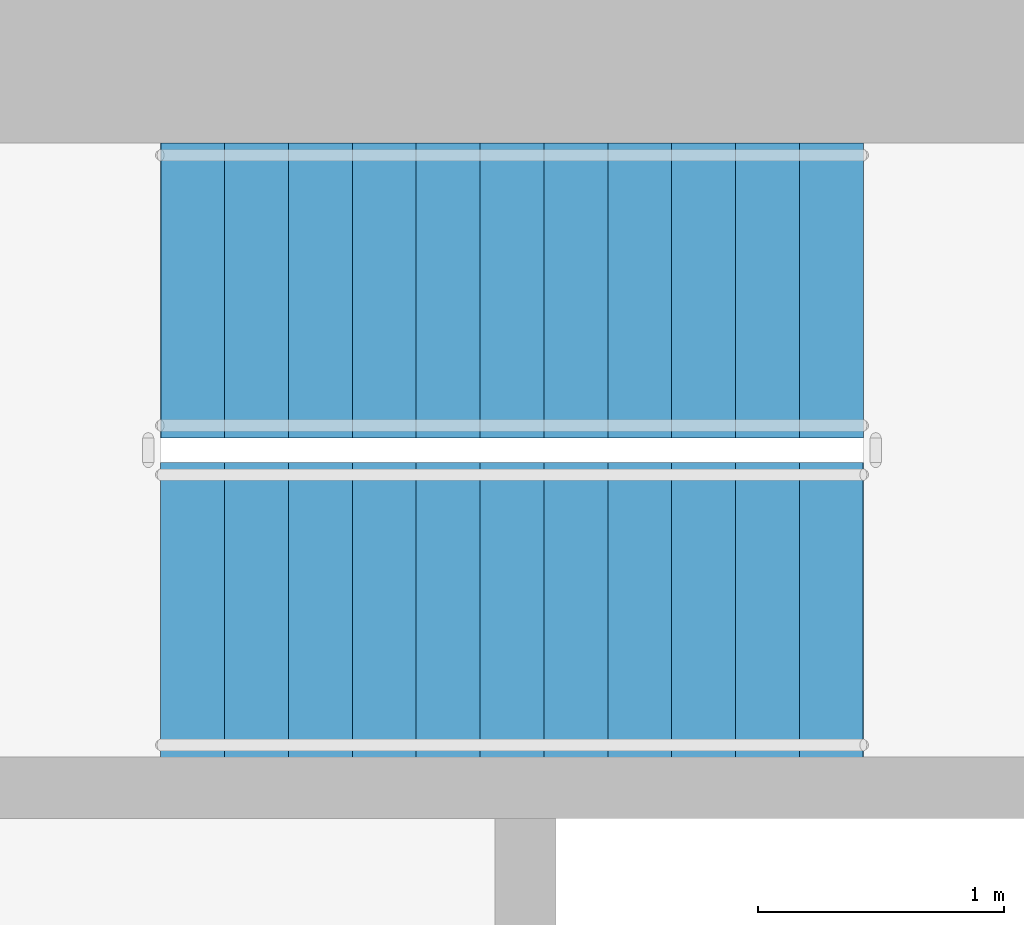
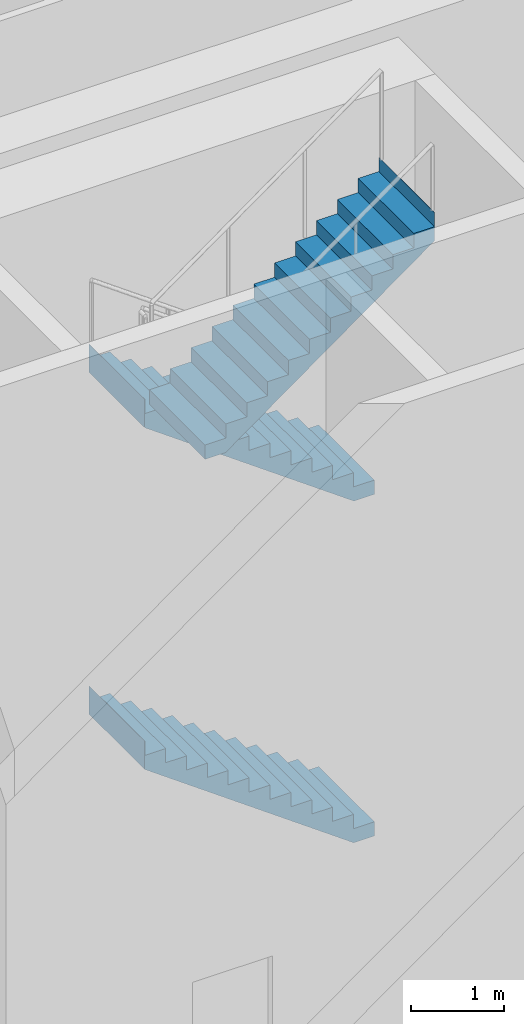
# One storey, part 22 of 35: 3 stair flights, 1 element without a shape of its own.
"""IFC4 building model written with IfcOpenShell, lengths in metres."""

import ifcopenshell
import ifcopenshell.guid

model = None  # the IFC model being written
_history = None  # IfcOwnerHistory: only IFC2X3 demands one
_inside = {}  # id of a spatial element -> (the spatial element, [elements in it])
_under = {}  # id of a project, library or spatial element -> (it, [spatial elements below it])
_declared = {}  # id of a project -> (the project, [libraries it declares])
_typed = {}  # id of a type object -> (the type object, [elements of that type])
_made_of = {}  # id of a material, layer set ... -> (it, [elements and type objects made of it])


def new_model(schema):
    """Start an empty IFC model of exactly this schema.

    Asked for "IFC4X3", IfcOpenShell would pick the latest addendum, in which some entities
    have other attributes; the version numbers below select the first issue.
    IFC2X3 requires an IfcOwnerHistory on every rooted entity: one is made here for all.
    """
    global model, _history
    if schema == "IFC4X3":
        model = ifcopenshell.file(schema_version=(4, 3, 0, 0))
    else:
        model = ifcopenshell.file(schema=schema)
    _inside.clear()
    _under.clear()
    _declared.clear()
    _typed.clear()
    _made_of.clear()
    _history = None
    if model.schema == "IFC2X3":
        org = make("IfcOrganization", Name="unknown")
        user = make(
            "IfcPersonAndOrganization",
            ThePerson=make("IfcPerson", FamilyName="unknown"),
            TheOrganization=org,
        )
        app = make(
            "IfcApplication",
            ApplicationDeveloper=org,
            Version="unknown",
            ApplicationFullName="unknown",
            ApplicationIdentifier="unknown",
        )
        _history = make(
            "IfcOwnerHistory",
            OwningUser=user,
            OwningApplication=app,
            ChangeAction="ADDED",
            CreationDate=0,
        )
    return model


def make(cls, **values):
    """One entity of the class cls with the attributes given. An attribute that is None is left unset."""
    return model.create_entity(
        cls, **{name: value for name, value in values.items() if value is not None}
    )


def rooted(cls, **values):
    """An entity with a GlobalId (a new one), such as an element, a storey or a relation."""
    return make(cls, GlobalId=ifcopenshell.guid.new(), OwnerHistory=_history, **values)


def si_unit(unit_type, name, prefix=None):
    """IfcSIUnit, for example si_unit("LENGTHUNIT", "METRE", prefix="MILLI")."""
    return make("IfcSIUnit", UnitType=unit_type, Prefix=prefix, Name=name)


def assignment(units):
    """IfcUnitAssignment: the units of a project."""
    return None if units is None else make("IfcUnitAssignment", Units=units)


def point(xyz):
    """IfcCartesianPoint."""
    return None if xyz is None else make("IfcCartesianPoint", Coordinates=xyz)


def direction(xyz):
    """IfcDirection."""
    return None if xyz is None else make("IfcDirection", DirectionRatios=xyz)


def frame(location, z_axis=None, x_axis=None):
    """IfcAxis2Placement3D, a coordinate frame: its origin and axes. An axis left out is left unset."""
    return make(
        "IfcAxis2Placement3D",
        Location=point(location),
        Axis=direction(z_axis),
        RefDirection=direction(x_axis),
    )


def origin():
    """The frame at (0, 0, 0) with its axes left unset."""
    return frame((0.0, 0.0, 0.0))


def place(relative_to, where):
    """IfcLocalPlacement: puts the frame where relative to a parent placement (None: the world)."""
    return make(
        "IfcLocalPlacement", PlacementRelTo=relative_to, RelativePlacement=where
    )


def context(
    kind, dimensions, precision=None, world=None, true_north=None, identifier=None
):
    """IfcGeometricRepresentationContext, for example the 3D "Model" context."""
    return make(
        "IfcGeometricRepresentationContext",
        ContextIdentifier=identifier,
        ContextType=kind,
        CoordinateSpaceDimension=dimensions,
        Precision=precision,
        WorldCoordinateSystem=world,
        TrueNorth=true_north,
    )


def subcontext(parent, identifier, kind, view, scale=None):
    """IfcGeometricRepresentationSubContext, for example "Body" below "Model"."""
    return make(
        "IfcGeometricRepresentationSubContext",
        ContextIdentifier=identifier,
        ContextType=kind,
        ParentContext=parent,
        TargetScale=scale,
        TargetView=view,
    )


def project(units=None, contexts=None):
    """IfcProject with its units and contexts."""
    return rooted(
        "IfcProject",
        Name="project",
        RepresentationContexts=contexts,
        UnitsInContext=assignment(units),
    )


def spatial(cls, under=None, at=None, **own):
    """A site, building, storey or space (cls), placed at a placement, below another one or the project."""
    s = rooted(cls, ObjectPlacement=at, **own)
    if under is not None:
        _under.setdefault(under.id(), (under, []))[1].append(s)
    return s


def point_list(points):
    """IfcCartesianPointList2D or 3D."""
    cls = (
        "IfcCartesianPointList2D" if len(points[0]) == 2 else "IfcCartesianPointList3D"
    )
    return make(cls, CoordList=points)


def triangles(points, corners, closed=None, point_numbers=None):
    """IfcTriangulatedFaceSet: each triangle names its three corners, points numbered from 1."""
    return make(
        "IfcTriangulatedFaceSet",
        Coordinates=point_list(points),
        Closed=closed,
        CoordIndex=corners,
        PnIndex=point_numbers,
    )


def shape(context_of_items, identifier, shape_type, items):
    """IfcShapeRepresentation: the items that make up one representation, for example the "Body"."""
    return make(
        "IfcShapeRepresentation",
        ContextOfItems=context_of_items,
        RepresentationIdentifier=identifier,
        RepresentationType=shape_type,
        Items=items,
    )


def material(Name=None, Category=None):
    """IfcMaterial."""
    return make("IfcMaterial", Name=Name, Category=Category)


def made_of(thing, what):
    """Note that an element or type object is made of a material, layer set ...; save() writes the relation."""
    if what is not None:
        _made_of.setdefault(what.id(), (what, []))[1].append(thing)
    return thing


def type_object(cls, material=None, **own):
    """A type object (cls), such as IfcWallType, which elements share."""
    return made_of(rooted(cls, **own), material)


def element(
    cls,
    number,
    at=None,
    inside=None,
    cuts=None,
    type_object=None,
    material=None,
    context=None,
    identifier="Body",
    shape_type=None,
    held_by="IfcProductDefinitionShape",
    body=None,
    shapes=None,
    **own,
):
    """One element of the class cls, such as IfcWall. Its Tag is "e" and its number.

    at: its placement. inside: the storey or other place that contains it. cuts: it is an
    opening in that element (IfcRelVoidsElement). A single representation is given by context,
    identifier, shape_type and body (its items); several are given by shapes. held_by: the class
    of the entity that holds the representations. save() writes the other relations.
    """
    e = rooted(cls, Tag="e%d" % number, ObjectPlacement=at, **own)
    if body is not None:
        shapes = [shape(context, identifier, shape_type, body)]
    if shapes is not None:
        e.Representation = make(held_by, Representations=shapes)
    if inside is not None:
        _inside.setdefault(inside.id(), (inside, []))[1].append(e)
    if cuts is not None:
        rooted(
            "IfcRelVoidsElement", RelatingBuildingElement=cuts, RelatedOpeningElement=e
        )
    if type_object is not None:
        _typed.setdefault(type_object.id(), (type_object, []))[1].append(e)
    return made_of(e, material)


def aggregate(whole, parts):
    """IfcRelAggregates: a whole, such as a stair, and the parts it consists of."""
    return rooted("IfcRelAggregates", RelatingObject=whole, RelatedObjects=parts)


def save(model, path):
    """Write the relations noted so far, then the file.

    IfcRelAggregates (storeys below a building ...), IfcRelContainedInSpatialStructure (elements
    in a storey), IfcRelDefinesByType, IfcRelAssociatesMaterial and IfcRelDeclares: one each for
    every whole, place, type object, material and project.
    """
    for whole, parts in _under.values():
        aggregate(whole, parts)
    for where, things in _inside.values():
        rooted(
            "IfcRelContainedInSpatialStructure",
            RelatedElements=things,
            RelatingStructure=where,
        )
    for kind, things in _typed.values():
        rooted("IfcRelDefinesByType", RelatedObjects=things, RelatingType=kind)
    for what, things in _made_of.values():
        rooted("IfcRelAssociatesMaterial", RelatedObjects=things, RelatingMaterial=what)
    for by, libraries in _declared.values():
        rooted("IfcRelDeclares", RelatingContext=by, RelatedDefinitions=libraries)
    model.write(path)


model = new_model("IFC4")

# Units and contexts
model_context = context("Model", 3, precision=1e-05, world=origin(), true_north=direction((0.0, 1.0)))
body_context = subcontext(model_context, "Body", "Model", "MODEL_VIEW")
ifc_project = project(units=[si_unit("LENGTHUNIT", "METRE"), si_unit("AREAUNIT", "SQUARE_METRE"), si_unit("VOLUMEUNIT", "CUBIC_METRE"), si_unit("PLANEANGLEUNIT", "RADIAN"), si_unit("MASSUNIT", "GRAM", prefix="KILO")], contexts=[model_context])

# Site, building, storey
site_placement = place(None, origin())
site = spatial("IfcSite", under=ifc_project, at=site_placement, CompositionType="ELEMENT")
building_placement = place(site_placement, origin())
building = spatial("IfcBuilding", under=site, at=building_placement, Name="Sahrelin Media Tower", CompositionType="ELEMENT")
storey_placement = place(building_placement, frame((0.0, 0.0, 17.0)))
storey = spatial("IfcBuildingStorey", under=building, at=storey_placement, Name="L02", CompositionType="ELEMENT", Elevation=17.0)

# Stair, stair flights
ifc_material = material(Name="Concrete C40/50", Category="concrete")
stair_type = type_object("IfcStairType", Name="Exit stair 1200", PredefinedType="HALF_TURN_STAIR", material=ifc_material)
stair_placement = place(storey_placement, origin())
stair = element("IfcStair", 1, at=stair_placement, inside=storey, type_object=stair_type, Name="L02 Exit stair ST3", PredefinedType="HALF_TURN_STAIR")
stair_flight_type = type_object("IfcStairFlightType", Name="Stair flight 1200", PredefinedType="STRAIGHT", material=ifc_material)
stair_flight_1_placement = place(storey_placement, frame((7.675048828125, 6.0, 0.0), z_axis=(0.0, 0.0, 1.0), x_axis=(-1.0, 0.0, 0.0)))
stair_flight_1 = element("IfcStairFlight", 2, at=stair_flight_1_placement, type_object=stair_flight_type, Name="ST3 flight 1", NumberOfRisers=12, NumberOfTreads=11, PredefinedType="STRAIGHT", RiserHeight=0.1875, TreadLength=0.26, context=body_context, shape_type="Tessellation", body=[
    triangles([(0.25634765625, 0.60009765625, 0.0), (0.25634765625, 0.300048828125, 0.0), (0.25634765625, 0.0, 0.0), (0.25634765625, -0.300048828125, 0.0), (0.25634765625, -0.60009765625, 0.0), (2.860107421875, 0.60009765625, 1.877685546875), (2.860107421875, 0.300048828125, 1.877685546875), (2.860107421875, 0.0, 1.877685546875), (2.860107421875, -0.300048828125, 1.877685546875), (2.860107421875, -0.60009765625, 1.877685546875), (2.860107421875, 0.60009765625, 2.25), (2.860107421875, 0.300048828125, 2.25), (2.860107421875, 0.0, 2.25), (2.860107421875, -0.300048828125, 2.25), (2.860107421875, -0.60009765625, 2.25), (2.85791015625, 0.60009765625, 2.25), (2.85791015625, 0.300048828125, 2.25), (2.85791015625, 0.0, 2.25), (2.85791015625, -0.300048828125, 2.25), (2.85791015625, -0.60009765625, 2.25), (2.85791015625, 0.60009765625, 2.0625), (2.85791015625, 0.300048828125, 2.0625), (2.85791015625, 0.0, 2.0625), (2.85791015625, -0.300048828125, 2.0625), (2.85791015625, -0.60009765625, 2.0625), (2.60009765625, 0.60009765625, 2.0625), (2.60009765625, 0.300048828125, 2.0625), (2.60009765625, 0.0, 2.0625), (2.60009765625, -0.300048828125, 2.0625), (2.60009765625, -0.60009765625, 2.0625), (2.60009765625, 0.60009765625, 1.875), (2.60009765625, 0.300048828125, 1.875), (2.60009765625, 0.0, 1.875), (2.60009765625, -0.300048828125, 1.875), (2.60009765625, -0.60009765625, 1.875), (2.340087890625, 0.60009765625, 1.875), (2.340087890625, 0.300048828125, 1.875), (2.340087890625, 0.0, 1.875), (2.340087890625, -0.300048828125, 1.875), (2.340087890625, -0.60009765625, 1.875), (2.340087890625, 0.60009765625, 1.6875), (2.340087890625, 0.300048828125, 1.6875), (2.340087890625, 0.0, 1.6875), (2.340087890625, -0.300048828125, 1.6875), (2.340087890625, -0.60009765625, 1.6875), (2.080078125, 0.60009765625, 1.6875), (2.080078125, 0.300048828125, 1.6875), (2.080078125, 0.0, 1.6875), (2.080078125, -0.300048828125, 1.6875), (2.080078125, -0.60009765625, 1.6875), (2.080078125, 0.60009765625, 1.5), (2.080078125, 0.300048828125, 1.5), (2.080078125, 0.0, 1.5), (2.080078125, -0.300048828125, 1.5), (2.080078125, -0.60009765625, 1.5), (1.820068359375, 0.60009765625, 1.5), (1.820068359375, 0.300048828125, 1.5), (1.820068359375, 0.0, 1.5), (1.820068359375, -0.300048828125, 1.5), (1.820068359375, -0.60009765625, 1.5), (1.820068359375, 0.60009765625, 1.3125), (1.820068359375, 0.300048828125, 1.3125), (1.820068359375, 0.0, 1.3125), (1.820068359375, -0.300048828125, 1.3125), (1.820068359375, -0.60009765625, 1.3125), (1.56005859375, 0.60009765625, 1.3125), (1.56005859375, 0.300048828125, 1.3125), (1.56005859375, 0.0, 1.3125), (1.56005859375, -0.300048828125, 1.3125), (1.56005859375, -0.60009765625, 1.3125), (1.56005859375, 0.60009765625, 1.125), (1.56005859375, 0.300048828125, 1.125), (1.56005859375, 0.0, 1.125), (1.56005859375, -0.300048828125, 1.125), (1.56005859375, -0.60009765625, 1.125), (1.300048828125, 0.60009765625, 1.125), (1.300048828125, 0.300048828125, 1.125), (1.300048828125, 0.0, 1.125), (1.300048828125, -0.300048828125, 1.125), (1.300048828125, -0.60009765625, 1.125), (1.300048828125, 0.60009765625, 0.9375), (1.300048828125, 0.300048828125, 0.9375), (1.300048828125, 0.0, 0.9375), (1.300048828125, -0.300048828125, 0.9375), (1.300048828125, -0.60009765625, 0.9375), (1.0400390625, 0.60009765625, 0.9375), (1.0400390625, 0.300048828125, 0.9375), (1.0400390625, 0.0, 0.9375), (1.0400390625, -0.300048828125, 0.9375), (1.0400390625, -0.60009765625, 0.9375), (1.0400390625, 0.60009765625, 0.75), (1.0400390625, 0.300048828125, 0.75), (1.0400390625, 0.0, 0.75), (1.0400390625, -0.300048828125, 0.75), (1.0400390625, -0.60009765625, 0.75), (0.780029296875, 0.60009765625, 0.75), (0.780029296875, 0.300048828125, 0.75), (0.780029296875, 0.0, 0.75), (0.780029296875, -0.300048828125, 0.75), (0.780029296875, -0.60009765625, 0.75), (0.780029296875, 0.60009765625, 0.5625), (0.780029296875, 0.300048828125, 0.5625), (0.780029296875, 0.0, 0.5625), (0.780029296875, -0.300048828125, 0.5625), (0.780029296875, -0.60009765625, 0.5625), (0.52001953125, 0.60009765625, 0.5625), (0.52001953125, 0.300048828125, 0.5625), (0.52001953125, 0.0, 0.5625), (0.52001953125, -0.300048828125, 0.5625), (0.52001953125, -0.60009765625, 0.5625), (0.52001953125, 0.60009765625, 0.375), (0.52001953125, 0.300048828125, 0.375), (0.52001953125, 0.0, 0.375), (0.52001953125, -0.300048828125, 0.375), (0.52001953125, -0.60009765625, 0.375), (0.260009765625, 0.60009765625, 0.375), (0.260009765625, 0.300048828125, 0.375), (0.260009765625, 0.0, 0.375), (0.260009765625, -0.300048828125, 0.375), (0.260009765625, -0.60009765625, 0.375), (0.260009765625, 0.60009765625, 0.1875), (0.260009765625, 0.300048828125, 0.1875), (0.260009765625, 0.0, 0.1875), (0.260009765625, -0.300048828125, 0.1875), (0.260009765625, -0.60009765625, 0.1875), (0.0, 0.60009765625, 0.1875), (0.0, 0.300048828125, 0.1875), (0.0, 0.0, 0.1875), (0.0, -0.300048828125, 0.1875), (0.0, -0.60009765625, 0.1875), (0.0, 0.60009765625, 0.0), (0.0, 0.300048828125, 0.0), (0.0, 0.0, 0.0), (0.0, -0.300048828125, 0.0), (0.0, -0.60009765625, 0.0)], [[1, 6, 7], [1, 7, 2], [2, 7, 8], [2, 8, 3], [3, 8, 9], [3, 9, 4], [4, 9, 10], [4, 10, 5], [6, 11, 12], [6, 12, 7], [7, 12, 13], [7, 13, 8], [8, 13, 14], [8, 14, 9], [9, 14, 15], [9, 15, 10], [11, 16, 17], [11, 17, 12], [12, 17, 18], [12, 18, 13], [13, 18, 19], [13, 19, 14], [14, 19, 20], [14, 20, 15], [16, 21, 22], [16, 22, 17], [17, 22, 23], [17, 23, 18], [18, 23, 24], [18, 24, 19], [19, 24, 25], [19, 25, 20], [21, 26, 27], [21, 27, 22], [22, 27, 28], [22, 28, 23], [23, 28, 29], [23, 29, 24], [24, 29, 30], [24, 30, 25], [26, 31, 32], [26, 32, 27], [27, 32, 33], [27, 33, 28], [28, 33, 34], [28, 34, 29], [29, 34, 35], [29, 35, 30], [31, 36, 37], [31, 37, 32], [32, 37, 38], [32, 38, 33], [33, 38, 39], [33, 39, 34], [34, 39, 40], [34, 40, 35], [36, 41, 42], [36, 42, 37], [37, 42, 43], [37, 43, 38], [38, 43, 44], [38, 44, 39], [39, 44, 45], [39, 45, 40], [41, 46, 47], [41, 47, 42], [42, 47, 48], [42, 48, 43], [43, 48, 49], [43, 49, 44], [44, 49, 50], [44, 50, 45], [46, 51, 52], [46, 52, 47], [47, 52, 53], [47, 53, 48], [48, 53, 54], [48, 54, 49], [49, 54, 55], [49, 55, 50], [51, 56, 57], [51, 57, 52], [52, 57, 58], [52, 58, 53], [53, 58, 59], [53, 59, 54], [54, 59, 60], [54, 60, 55], [56, 61, 62], [56, 62, 57], [57, 62, 63], [57, 63, 58], [58, 63, 64], [58, 64, 59], [59, 64, 65], [59, 65, 60], [61, 66, 67], [61, 67, 62], [62, 67, 68], [62, 68, 63], [63, 68, 69], [63, 69, 64], [64, 69, 70], [64, 70, 65], [66, 71, 72], [66, 72, 67], [67, 72, 73], [67, 73, 68], [68, 73, 74], [68, 74, 69], [69, 74, 75], [69, 75, 70], [71, 76, 77], [71, 77, 72], [72, 77, 78], [72, 78, 73], [73, 78, 79], [73, 79, 74], [74, 79, 80], [74, 80, 75], [76, 81, 82], [76, 82, 77], [77, 82, 83], [77, 83, 78], [78, 83, 84], [78, 84, 79], [79, 84, 85], [79, 85, 80], [81, 86, 87], [81, 87, 82], [82, 87, 88], [82, 88, 83], [83, 88, 89], [83, 89, 84], [84, 89, 90], [84, 90, 85], [86, 91, 92], [86, 92, 87], [87, 92, 93], [87, 93, 88], [88, 93, 94], [88, 94, 89], [89, 94, 95], [89, 95, 90], [91, 96, 97], [91, 97, 92], [92, 97, 98], [92, 98, 93], [93, 98, 99], [93, 99, 94], [94, 99, 100], [94, 100, 95], [96, 101, 102], [96, 102, 97], [97, 102, 103], [97, 103, 98], [98, 103, 104], [98, 104, 99], [99, 104, 105], [99, 105, 100], [101, 106, 107], [101, 107, 102], [102, 107, 108], [102, 108, 103], [103, 108, 109], [103, 109, 104], [104, 109, 110], [104, 110, 105], [106, 111, 112], [106, 112, 107], [107, 112, 113], [107, 113, 108], [108, 113, 114], [108, 114, 109], [109, 114, 115], [109, 115, 110], [111, 116, 117], [111, 117, 112], [112, 117, 118], [112, 118, 113], [113, 118, 119], [113, 119, 114], [114, 119, 120], [114, 120, 115], [116, 121, 122], [116, 122, 117], [117, 122, 123], [117, 123, 118], [118, 123, 124], [118, 124, 119], [119, 124, 125], [119, 125, 120], [121, 126, 127], [121, 127, 122], [122, 127, 128], [122, 128, 123], [123, 128, 129], [123, 129, 124], [124, 129, 130], [124, 130, 125], [126, 131, 132], [126, 132, 127], [127, 132, 133], [127, 133, 128], [128, 133, 134], [128, 134, 129], [129, 134, 135], [129, 135, 130], [131, 1, 2], [131, 2, 132], [132, 2, 3], [132, 3, 133], [133, 3, 4], [133, 4, 134], [134, 4, 5], [134, 5, 135], [5, 130, 135], [1, 131, 126], [125, 115, 120], [121, 116, 111], [115, 105, 110], [111, 106, 101], [105, 95, 100], [101, 96, 91], [95, 85, 90], [91, 86, 81], [85, 75, 80], [81, 76, 71], [75, 65, 70], [71, 66, 61], [65, 55, 60], [61, 56, 51], [55, 45, 50], [51, 46, 41], [45, 35, 40], [41, 36, 31], [35, 25, 30], [31, 26, 21], [25, 15, 20], [21, 16, 11], [5, 125, 130], [1, 126, 121], [10, 35, 45], [6, 41, 31], [25, 10, 15], [21, 11, 6], [115, 125, 5], [111, 1, 121], [35, 10, 25], [31, 21, 6], [105, 115, 5], [101, 1, 111], [45, 55, 10], [41, 6, 51], [95, 105, 5], [91, 1, 101], [65, 10, 55], [61, 51, 6], [85, 95, 5], [81, 1, 91], [75, 10, 65], [71, 61, 6], [75, 85, 5], [71, 1, 81], [5, 10, 75], [1, 71, 6]], closed=True),
])
stair_flight_2_placement = place(storey_placement, frame((7.675048828125, 6.0, 4.5), z_axis=(0.0, 0.0, 1.0), x_axis=(-1.0, 0.0, 0.0)))
stair_flight_2 = element("IfcStairFlight", 3, at=stair_flight_2_placement, type_object=stair_flight_type, Name="ST3 flight 3", NumberOfRisers=12, NumberOfTreads=11, PredefinedType="STRAIGHT", RiserHeight=0.1875, TreadLength=0.26, context=body_context, shape_type="Tessellation", body=[
    triangles([(0.25634765625, 0.60009765625, 0.0), (0.25634765625, 0.300048828125, 0.0), (0.25634765625, 0.0, 0.0), (0.25634765625, -0.300048828125, 0.0), (0.25634765625, -0.60009765625, 0.0), (2.860107421875, 0.60009765625, 1.877685546875), (2.860107421875, 0.300048828125, 1.877685546875), (2.860107421875, 0.0, 1.877685546875), (2.860107421875, -0.300048828125, 1.877685546875), (2.860107421875, -0.60009765625, 1.877685546875), (2.860107421875, 0.60009765625, 2.25), (2.860107421875, 0.300048828125, 2.25), (2.860107421875, 0.0, 2.25), (2.860107421875, -0.300048828125, 2.25), (2.860107421875, -0.60009765625, 2.25), (2.85791015625, 0.60009765625, 2.25), (2.85791015625, 0.300048828125, 2.25), (2.85791015625, 0.0, 2.25), (2.85791015625, -0.300048828125, 2.25), (2.85791015625, -0.60009765625, 2.25), (2.85791015625, 0.60009765625, 2.0625), (2.85791015625, 0.300048828125, 2.0625), (2.85791015625, 0.0, 2.0625), (2.85791015625, -0.300048828125, 2.0625), (2.85791015625, -0.60009765625, 2.0625), (2.60009765625, 0.60009765625, 2.0625), (2.60009765625, 0.300048828125, 2.0625), (2.60009765625, 0.0, 2.0625), (2.60009765625, -0.300048828125, 2.0625), (2.60009765625, -0.60009765625, 2.0625), (2.60009765625, 0.60009765625, 1.875), (2.60009765625, 0.300048828125, 1.875), (2.60009765625, 0.0, 1.875), (2.60009765625, -0.300048828125, 1.875), (2.60009765625, -0.60009765625, 1.875), (2.340087890625, 0.60009765625, 1.875), (2.340087890625, 0.300048828125, 1.875), (2.340087890625, 0.0, 1.875), (2.340087890625, -0.300048828125, 1.875), (2.340087890625, -0.60009765625, 1.875), (2.340087890625, 0.60009765625, 1.6875), (2.340087890625, 0.300048828125, 1.6875), (2.340087890625, 0.0, 1.6875), (2.340087890625, -0.300048828125, 1.6875), (2.340087890625, -0.60009765625, 1.6875), (2.080078125, 0.60009765625, 1.6875), (2.080078125, 0.300048828125, 1.6875), (2.080078125, 0.0, 1.6875), (2.080078125, -0.300048828125, 1.6875), (2.080078125, -0.60009765625, 1.6875), (2.080078125, 0.60009765625, 1.5), (2.080078125, 0.300048828125, 1.5), (2.080078125, 0.0, 1.5), (2.080078125, -0.300048828125, 1.5), (2.080078125, -0.60009765625, 1.5), (1.820068359375, 0.60009765625, 1.5), (1.820068359375, 0.300048828125, 1.5), (1.820068359375, 0.0, 1.5), (1.820068359375, -0.300048828125, 1.5), (1.820068359375, -0.60009765625, 1.5), (1.820068359375, 0.60009765625, 1.3125), (1.820068359375, 0.300048828125, 1.3125), (1.820068359375, 0.0, 1.3125), (1.820068359375, -0.300048828125, 1.3125), (1.820068359375, -0.60009765625, 1.3125), (1.56005859375, 0.60009765625, 1.3125), (1.56005859375, 0.300048828125, 1.3125), (1.56005859375, 0.0, 1.3125), (1.56005859375, -0.300048828125, 1.3125), (1.56005859375, -0.60009765625, 1.3125), (1.56005859375, 0.60009765625, 1.125), (1.56005859375, 0.300048828125, 1.125), (1.56005859375, 0.0, 1.125), (1.56005859375, -0.300048828125, 1.125), (1.56005859375, -0.60009765625, 1.125), (1.300048828125, 0.60009765625, 1.125), (1.300048828125, 0.300048828125, 1.125), (1.300048828125, 0.0, 1.125), (1.300048828125, -0.300048828125, 1.125), (1.300048828125, -0.60009765625, 1.125), (1.300048828125, 0.60009765625, 0.9375), (1.300048828125, 0.300048828125, 0.9375), (1.300048828125, 0.0, 0.9375), (1.300048828125, -0.300048828125, 0.9375), (1.300048828125, -0.60009765625, 0.9375), (1.0400390625, 0.60009765625, 0.9375), (1.0400390625, 0.300048828125, 0.9375), (1.0400390625, 0.0, 0.9375), (1.0400390625, -0.300048828125, 0.9375), (1.0400390625, -0.60009765625, 0.9375), (1.0400390625, 0.60009765625, 0.75), (1.0400390625, 0.300048828125, 0.75), (1.0400390625, 0.0, 0.75), (1.0400390625, -0.300048828125, 0.75), (1.0400390625, -0.60009765625, 0.75), (0.780029296875, 0.60009765625, 0.75), (0.780029296875, 0.300048828125, 0.75), (0.780029296875, 0.0, 0.75), (0.780029296875, -0.300048828125, 0.75), (0.780029296875, -0.60009765625, 0.75), (0.780029296875, 0.60009765625, 0.5625), (0.780029296875, 0.300048828125, 0.5625), (0.780029296875, 0.0, 0.5625), (0.780029296875, -0.300048828125, 0.5625), (0.780029296875, -0.60009765625, 0.5625), (0.52001953125, 0.60009765625, 0.5625), (0.52001953125, 0.300048828125, 0.5625), (0.52001953125, 0.0, 0.5625), (0.52001953125, -0.300048828125, 0.5625), (0.52001953125, -0.60009765625, 0.5625), (0.52001953125, 0.60009765625, 0.375), (0.52001953125, 0.300048828125, 0.375), (0.52001953125, 0.0, 0.375), (0.52001953125, -0.300048828125, 0.375), (0.52001953125, -0.60009765625, 0.375), (0.260009765625, 0.60009765625, 0.375), (0.260009765625, 0.300048828125, 0.375), (0.260009765625, 0.0, 0.375), (0.260009765625, -0.300048828125, 0.375), (0.260009765625, -0.60009765625, 0.375), (0.260009765625, 0.60009765625, 0.1875), (0.260009765625, 0.300048828125, 0.1875), (0.260009765625, 0.0, 0.1875), (0.260009765625, -0.300048828125, 0.1875), (0.260009765625, -0.60009765625, 0.1875), (0.0, 0.60009765625, 0.1875), (0.0, 0.300048828125, 0.1875), (0.0, 0.0, 0.1875), (0.0, -0.300048828125, 0.1875), (0.0, -0.60009765625, 0.1875), (0.0, 0.60009765625, 0.0), (0.0, 0.300048828125, 0.0), (0.0, 0.0, 0.0), (0.0, -0.300048828125, 0.0), (0.0, -0.60009765625, 0.0)], [[1, 6, 7], [1, 7, 2], [2, 7, 8], [2, 8, 3], [3, 8, 9], [3, 9, 4], [4, 9, 10], [4, 10, 5], [6, 11, 12], [6, 12, 7], [7, 12, 13], [7, 13, 8], [8, 13, 14], [8, 14, 9], [9, 14, 15], [9, 15, 10], [11, 16, 17], [11, 17, 12], [12, 17, 18], [12, 18, 13], [13, 18, 19], [13, 19, 14], [14, 19, 20], [14, 20, 15], [16, 21, 22], [16, 22, 17], [17, 22, 23], [17, 23, 18], [18, 23, 24], [18, 24, 19], [19, 24, 25], [19, 25, 20], [21, 26, 27], [21, 27, 22], [22, 27, 28], [22, 28, 23], [23, 28, 29], [23, 29, 24], [24, 29, 30], [24, 30, 25], [26, 31, 32], [26, 32, 27], [27, 32, 33], [27, 33, 28], [28, 33, 34], [28, 34, 29], [29, 34, 35], [29, 35, 30], [31, 36, 37], [31, 37, 32], [32, 37, 38], [32, 38, 33], [33, 38, 39], [33, 39, 34], [34, 39, 40], [34, 40, 35], [36, 41, 42], [36, 42, 37], [37, 42, 43], [37, 43, 38], [38, 43, 44], [38, 44, 39], [39, 44, 45], [39, 45, 40], [41, 46, 47], [41, 47, 42], [42, 47, 48], [42, 48, 43], [43, 48, 49], [43, 49, 44], [44, 49, 50], [44, 50, 45], [46, 51, 52], [46, 52, 47], [47, 52, 53], [47, 53, 48], [48, 53, 54], [48, 54, 49], [49, 54, 55], [49, 55, 50], [51, 56, 57], [51, 57, 52], [52, 57, 58], [52, 58, 53], [53, 58, 59], [53, 59, 54], [54, 59, 60], [54, 60, 55], [56, 61, 62], [56, 62, 57], [57, 62, 63], [57, 63, 58], [58, 63, 64], [58, 64, 59], [59, 64, 65], [59, 65, 60], [61, 66, 67], [61, 67, 62], [62, 67, 68], [62, 68, 63], [63, 68, 69], [63, 69, 64], [64, 69, 70], [64, 70, 65], [66, 71, 72], [66, 72, 67], [67, 72, 73], [67, 73, 68], [68, 73, 74], [68, 74, 69], [69, 74, 75], [69, 75, 70], [71, 76, 77], [71, 77, 72], [72, 77, 78], [72, 78, 73], [73, 78, 79], [73, 79, 74], [74, 79, 80], [74, 80, 75], [76, 81, 82], [76, 82, 77], [77, 82, 83], [77, 83, 78], [78, 83, 84], [78, 84, 79], [79, 84, 85], [79, 85, 80], [81, 86, 87], [81, 87, 82], [82, 87, 88], [82, 88, 83], [83, 88, 89], [83, 89, 84], [84, 89, 90], [84, 90, 85], [86, 91, 92], [86, 92, 87], [87, 92, 93], [87, 93, 88], [88, 93, 94], [88, 94, 89], [89, 94, 95], [89, 95, 90], [91, 96, 97], [91, 97, 92], [92, 97, 98], [92, 98, 93], [93, 98, 99], [93, 99, 94], [94, 99, 100], [94, 100, 95], [96, 101, 102], [96, 102, 97], [97, 102, 103], [97, 103, 98], [98, 103, 104], [98, 104, 99], [99, 104, 105], [99, 105, 100], [101, 106, 107], [101, 107, 102], [102, 107, 108], [102, 108, 103], [103, 108, 109], [103, 109, 104], [104, 109, 110], [104, 110, 105], [106, 111, 112], [106, 112, 107], [107, 112, 113], [107, 113, 108], [108, 113, 114], [108, 114, 109], [109, 114, 115], [109, 115, 110], [111, 116, 117], [111, 117, 112], [112, 117, 118], [112, 118, 113], [113, 118, 119], [113, 119, 114], [114, 119, 120], [114, 120, 115], [116, 121, 122], [116, 122, 117], [117, 122, 123], [117, 123, 118], [118, 123, 124], [118, 124, 119], [119, 124, 125], [119, 125, 120], [121, 126, 127], [121, 127, 122], [122, 127, 128], [122, 128, 123], [123, 128, 129], [123, 129, 124], [124, 129, 130], [124, 130, 125], [126, 131, 132], [126, 132, 127], [127, 132, 133], [127, 133, 128], [128, 133, 134], [128, 134, 129], [129, 134, 135], [129, 135, 130], [131, 1, 2], [131, 2, 132], [132, 2, 3], [132, 3, 133], [133, 3, 4], [133, 4, 134], [134, 4, 5], [134, 5, 135], [5, 130, 135], [1, 131, 126], [125, 115, 120], [121, 116, 111], [115, 105, 110], [111, 106, 101], [105, 95, 100], [101, 96, 91], [95, 85, 90], [91, 86, 81], [85, 75, 80], [81, 76, 71], [75, 65, 70], [71, 66, 61], [65, 55, 60], [61, 56, 51], [55, 45, 50], [51, 46, 41], [45, 35, 40], [41, 36, 31], [35, 25, 30], [31, 26, 21], [25, 15, 20], [21, 16, 11], [5, 125, 130], [1, 126, 121], [10, 35, 45], [6, 41, 31], [25, 10, 15], [21, 11, 6], [115, 125, 5], [111, 1, 121], [35, 10, 25], [31, 21, 6], [105, 115, 5], [101, 1, 111], [45, 55, 10], [41, 6, 51], [95, 105, 5], [91, 1, 101], [65, 10, 55], [61, 51, 6], [85, 95, 5], [81, 1, 91], [75, 10, 65], [71, 61, 6], [75, 85, 5], [71, 1, 81], [5, 10, 75], [1, 71, 6]], closed=True),
])
stair_flight_3_placement = place(storey_placement, frame((4.81494140625, 4.699951171875, 6.75), z_axis=(0.0, 0.0, 1.0), x_axis=(1.0, 0.0, 0.0)))
stair_flight_3 = element("IfcStairFlight", 4, at=stair_flight_3_placement, type_object=stair_flight_type, Name="ST3 flight 4", NumberOfRisers=12, NumberOfTreads=11, PredefinedType="STRAIGHT", RiserHeight=0.1875, TreadLength=0.26, context=body_context, shape_type="Tessellation", body=[
    triangles([(0.25634765625, 0.60009765625, 0.0), (0.25634765625, 0.300048828125, 0.0), (0.25634765625, 0.0, 0.0), (0.25634765625, -0.300048828125, 0.0), (0.25634765625, -0.60009765625, 0.0), (2.860107421875, 0.60009765625, 1.877685546875), (2.860107421875, 0.300048828125, 1.877685546875), (2.860107421875, 0.0, 1.877685546875), (2.860107421875, -0.300048828125, 1.877685546875), (2.860107421875, -0.60009765625, 1.877685546875), (2.860107421875, 0.60009765625, 2.25), (2.860107421875, 0.300048828125, 2.25), (2.860107421875, 0.0, 2.25), (2.860107421875, -0.300048828125, 2.25), (2.860107421875, -0.60009765625, 2.25), (2.85791015625, 0.60009765625, 2.25), (2.85791015625, 0.300048828125, 2.25), (2.85791015625, 0.0, 2.25), (2.85791015625, -0.300048828125, 2.25), (2.85791015625, -0.60009765625, 2.25), (2.85791015625, 0.60009765625, 2.0625), (2.85791015625, 0.300048828125, 2.0625), (2.85791015625, 0.0, 2.0625), (2.85791015625, -0.300048828125, 2.0625), (2.85791015625, -0.60009765625, 2.0625), (2.60009765625, 0.60009765625, 2.0625), (2.60009765625, 0.300048828125, 2.0625), (2.60009765625, 0.0, 2.0625), (2.60009765625, -0.300048828125, 2.0625), (2.60009765625, -0.60009765625, 2.0625), (2.60009765625, 0.60009765625, 1.875), (2.60009765625, 0.300048828125, 1.875), (2.60009765625, 0.0, 1.875), (2.60009765625, -0.300048828125, 1.875), (2.60009765625, -0.60009765625, 1.875), (2.340087890625, 0.60009765625, 1.875), (2.340087890625, 0.300048828125, 1.875), (2.340087890625, 0.0, 1.875), (2.340087890625, -0.300048828125, 1.875), (2.340087890625, -0.60009765625, 1.875), (2.340087890625, 0.60009765625, 1.6875), (2.340087890625, 0.300048828125, 1.6875), (2.340087890625, 0.0, 1.6875), (2.340087890625, -0.300048828125, 1.6875), (2.340087890625, -0.60009765625, 1.6875), (2.080078125, 0.60009765625, 1.6875), (2.080078125, 0.300048828125, 1.6875), (2.080078125, 0.0, 1.6875), (2.080078125, -0.300048828125, 1.6875), (2.080078125, -0.60009765625, 1.6875), (2.080078125, 0.60009765625, 1.5), (2.080078125, 0.300048828125, 1.5), (2.080078125, 0.0, 1.5), (2.080078125, -0.300048828125, 1.5), (2.080078125, -0.60009765625, 1.5), (1.820068359375, 0.60009765625, 1.5), (1.820068359375, 0.300048828125, 1.5), (1.820068359375, 0.0, 1.5), (1.820068359375, -0.300048828125, 1.5), (1.820068359375, -0.60009765625, 1.5), (1.820068359375, 0.60009765625, 1.3125), (1.820068359375, 0.300048828125, 1.3125), (1.820068359375, 0.0, 1.3125), (1.820068359375, -0.300048828125, 1.3125), (1.820068359375, -0.60009765625, 1.3125), (1.56005859375, 0.60009765625, 1.3125), (1.56005859375, 0.300048828125, 1.3125), (1.56005859375, 0.0, 1.3125), (1.56005859375, -0.300048828125, 1.3125), (1.56005859375, -0.60009765625, 1.3125), (1.56005859375, 0.60009765625, 1.125), (1.56005859375, 0.300048828125, 1.125), (1.56005859375, 0.0, 1.125), (1.56005859375, -0.300048828125, 1.125), (1.56005859375, -0.60009765625, 1.125), (1.300048828125, 0.60009765625, 1.125), (1.300048828125, 0.300048828125, 1.125), (1.300048828125, 0.0, 1.125), (1.300048828125, -0.300048828125, 1.125), (1.300048828125, -0.60009765625, 1.125), (1.300048828125, 0.60009765625, 0.9375), (1.300048828125, 0.300048828125, 0.9375), (1.300048828125, 0.0, 0.9375), (1.300048828125, -0.300048828125, 0.9375), (1.300048828125, -0.60009765625, 0.9375), (1.0400390625, 0.60009765625, 0.9375), (1.0400390625, 0.300048828125, 0.9375), (1.0400390625, 0.0, 0.9375), (1.0400390625, -0.300048828125, 0.9375), (1.0400390625, -0.60009765625, 0.9375), (1.0400390625, 0.60009765625, 0.75), (1.0400390625, 0.300048828125, 0.75), (1.0400390625, 0.0, 0.75), (1.0400390625, -0.300048828125, 0.75), (1.0400390625, -0.60009765625, 0.75), (0.780029296875, 0.60009765625, 0.75), (0.780029296875, 0.300048828125, 0.75), (0.780029296875, 0.0, 0.75), (0.780029296875, -0.300048828125, 0.75), (0.780029296875, -0.60009765625, 0.75), (0.780029296875, 0.60009765625, 0.5625), (0.780029296875, 0.300048828125, 0.5625), (0.780029296875, 0.0, 0.5625), (0.780029296875, -0.300048828125, 0.5625), (0.780029296875, -0.60009765625, 0.5625), (0.52001953125, 0.60009765625, 0.5625), (0.52001953125, 0.300048828125, 0.5625), (0.52001953125, 0.0, 0.5625), (0.52001953125, -0.300048828125, 0.5625), (0.52001953125, -0.60009765625, 0.5625), (0.52001953125, 0.60009765625, 0.375), (0.52001953125, 0.300048828125, 0.375), (0.52001953125, 0.0, 0.375), (0.52001953125, -0.300048828125, 0.375), (0.52001953125, -0.60009765625, 0.375), (0.260009765625, 0.60009765625, 0.375), (0.260009765625, 0.300048828125, 0.375), (0.260009765625, 0.0, 0.375), (0.260009765625, -0.300048828125, 0.375), (0.260009765625, -0.60009765625, 0.375), (0.260009765625, 0.60009765625, 0.1875), (0.260009765625, 0.300048828125, 0.1875), (0.260009765625, 0.0, 0.1875), (0.260009765625, -0.300048828125, 0.1875), (0.260009765625, -0.60009765625, 0.1875), (0.0, 0.60009765625, 0.1875), (0.0, 0.300048828125, 0.1875), (0.0, 0.0, 0.1875), (0.0, -0.300048828125, 0.1875), (0.0, -0.60009765625, 0.1875), (0.0, 0.60009765625, 0.0), (0.0, 0.300048828125, 0.0), (0.0, 0.0, 0.0), (0.0, -0.300048828125, 0.0), (0.0, -0.60009765625, 0.0)], [[1, 6, 7], [1, 7, 2], [2, 7, 8], [2, 8, 3], [3, 8, 9], [3, 9, 4], [4, 9, 10], [4, 10, 5], [6, 11, 12], [6, 12, 7], [7, 12, 13], [7, 13, 8], [8, 13, 14], [8, 14, 9], [9, 14, 15], [9, 15, 10], [11, 16, 17], [11, 17, 12], [12, 17, 18], [12, 18, 13], [13, 18, 19], [13, 19, 14], [14, 19, 20], [14, 20, 15], [16, 21, 22], [16, 22, 17], [17, 22, 23], [17, 23, 18], [18, 23, 24], [18, 24, 19], [19, 24, 25], [19, 25, 20], [21, 26, 27], [21, 27, 22], [22, 27, 28], [22, 28, 23], [23, 28, 29], [23, 29, 24], [24, 29, 30], [24, 30, 25], [26, 31, 32], [26, 32, 27], [27, 32, 33], [27, 33, 28], [28, 33, 34], [28, 34, 29], [29, 34, 35], [29, 35, 30], [31, 36, 37], [31, 37, 32], [32, 37, 38], [32, 38, 33], [33, 38, 39], [33, 39, 34], [34, 39, 40], [34, 40, 35], [36, 41, 42], [36, 42, 37], [37, 42, 43], [37, 43, 38], [38, 43, 44], [38, 44, 39], [39, 44, 45], [39, 45, 40], [41, 46, 47], [41, 47, 42], [42, 47, 48], [42, 48, 43], [43, 48, 49], [43, 49, 44], [44, 49, 50], [44, 50, 45], [46, 51, 52], [46, 52, 47], [47, 52, 53], [47, 53, 48], [48, 53, 54], [48, 54, 49], [49, 54, 55], [49, 55, 50], [51, 56, 57], [51, 57, 52], [52, 57, 58], [52, 58, 53], [53, 58, 59], [53, 59, 54], [54, 59, 60], [54, 60, 55], [56, 61, 62], [56, 62, 57], [57, 62, 63], [57, 63, 58], [58, 63, 64], [58, 64, 59], [59, 64, 65], [59, 65, 60], [61, 66, 67], [61, 67, 62], [62, 67, 68], [62, 68, 63], [63, 68, 69], [63, 69, 64], [64, 69, 70], [64, 70, 65], [66, 71, 72], [66, 72, 67], [67, 72, 73], [67, 73, 68], [68, 73, 74], [68, 74, 69], [69, 74, 75], [69, 75, 70], [71, 76, 77], [71, 77, 72], [72, 77, 78], [72, 78, 73], [73, 78, 79], [73, 79, 74], [74, 79, 80], [74, 80, 75], [76, 81, 82], [76, 82, 77], [77, 82, 83], [77, 83, 78], [78, 83, 84], [78, 84, 79], [79, 84, 85], [79, 85, 80], [81, 86, 87], [81, 87, 82], [82, 87, 88], [82, 88, 83], [83, 88, 89], [83, 89, 84], [84, 89, 90], [84, 90, 85], [86, 91, 92], [86, 92, 87], [87, 92, 93], [87, 93, 88], [88, 93, 94], [88, 94, 89], [89, 94, 95], [89, 95, 90], [91, 96, 97], [91, 97, 92], [92, 97, 98], [92, 98, 93], [93, 98, 99], [93, 99, 94], [94, 99, 100], [94, 100, 95], [96, 101, 102], [96, 102, 97], [97, 102, 103], [97, 103, 98], [98, 103, 104], [98, 104, 99], [99, 104, 105], [99, 105, 100], [101, 106, 107], [101, 107, 102], [102, 107, 108], [102, 108, 103], [103, 108, 109], [103, 109, 104], [104, 109, 110], [104, 110, 105], [106, 111, 112], [106, 112, 107], [107, 112, 113], [107, 113, 108], [108, 113, 114], [108, 114, 109], [109, 114, 115], [109, 115, 110], [111, 116, 117], [111, 117, 112], [112, 117, 118], [112, 118, 113], [113, 118, 119], [113, 119, 114], [114, 119, 120], [114, 120, 115], [116, 121, 122], [116, 122, 117], [117, 122, 123], [117, 123, 118], [118, 123, 124], [118, 124, 119], [119, 124, 125], [119, 125, 120], [121, 126, 127], [121, 127, 122], [122, 127, 128], [122, 128, 123], [123, 128, 129], [123, 129, 124], [124, 129, 130], [124, 130, 125], [126, 131, 132], [126, 132, 127], [127, 132, 133], [127, 133, 128], [128, 133, 134], [128, 134, 129], [129, 134, 135], [129, 135, 130], [131, 1, 2], [131, 2, 132], [132, 2, 3], [132, 3, 133], [133, 3, 4], [133, 4, 134], [134, 4, 5], [134, 5, 135], [5, 130, 135], [1, 131, 126], [125, 115, 120], [121, 116, 111], [115, 105, 110], [111, 106, 101], [105, 95, 100], [101, 96, 91], [95, 85, 90], [91, 86, 81], [85, 75, 80], [81, 76, 71], [75, 65, 70], [71, 66, 61], [65, 55, 60], [61, 56, 51], [55, 45, 50], [51, 46, 41], [45, 35, 40], [41, 36, 31], [35, 25, 30], [31, 26, 21], [25, 15, 20], [21, 16, 11], [5, 125, 130], [1, 126, 121], [10, 35, 45], [6, 41, 31], [25, 10, 15], [21, 11, 6], [115, 125, 5], [111, 1, 121], [35, 10, 25], [31, 21, 6], [105, 115, 5], [101, 1, 111], [45, 55, 10], [41, 6, 51], [95, 105, 5], [91, 1, 101], [65, 10, 55], [61, 51, 6], [85, 95, 5], [81, 1, 91], [75, 10, 65], [71, 61, 6], [75, 85, 5], [71, 1, 81], [5, 10, 75], [1, 71, 6]], closed=True),
])
aggregate(stair, [stair_flight_1, stair_flight_2, stair_flight_3])

save(model, "model.ifc")
